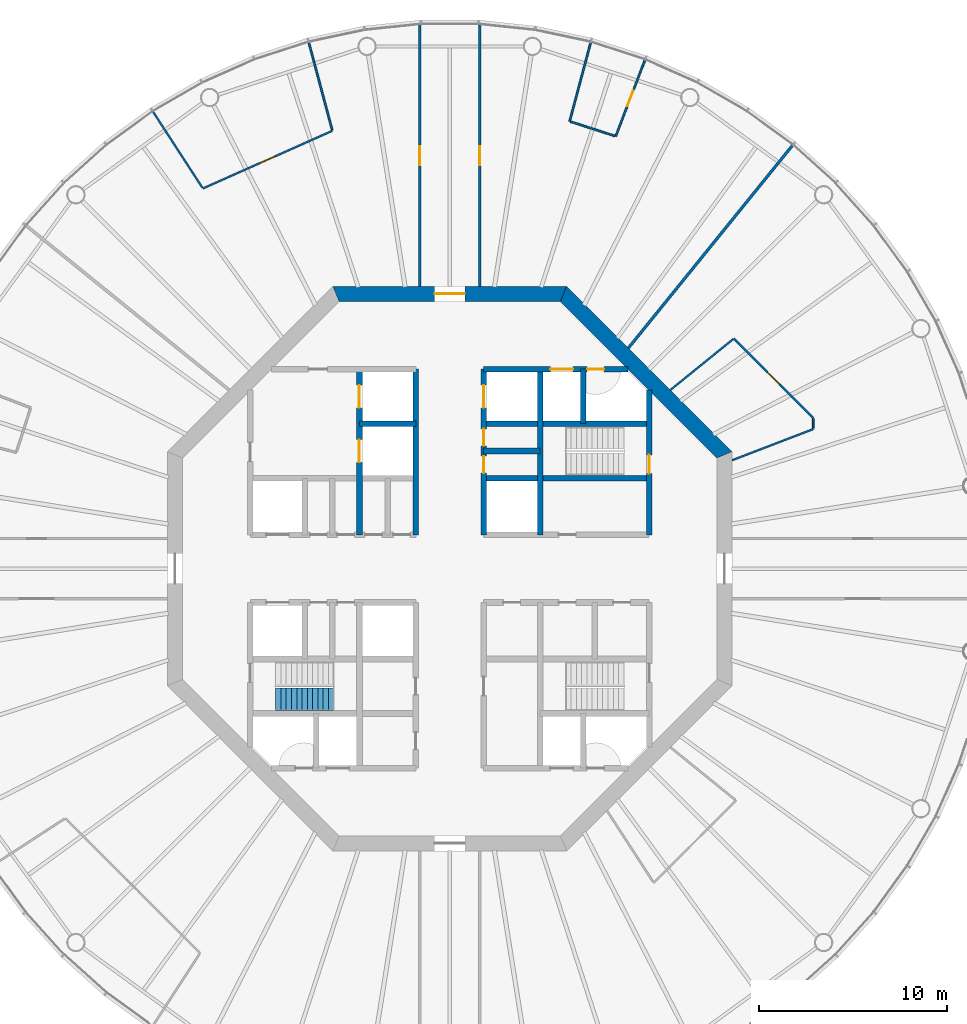
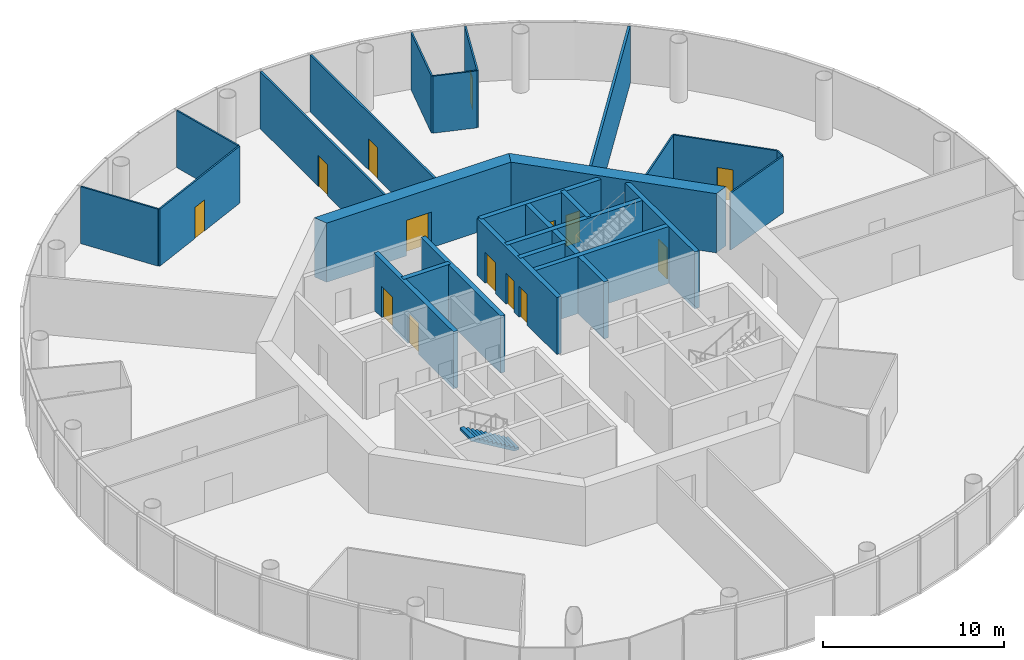
# One storey, part 5 of 13: 26 walls, 14 doors, 1 stair flight, 14 openings, 1 element without a shape of its own.
"""IFC4 building model written with IfcOpenShell, lengths in metres."""

from ifc_helpers import new_model, si_unit, direction, frame, frame_2d, origin, place, context, subcontext, project, spatial, polyline, rectangle, outline, extrude, material, layer, layer_set, type_object, element, fill, aggregate, save


model = new_model("IFC4")

# Units and contexts
model_context = context("Model", 3, precision=1e-05, world=origin(), true_north=direction((0.0, 1.0)))
body_context = subcontext(model_context, "Body", "Model", "MODEL_VIEW")
ifc_project = project(units=[si_unit("LENGTHUNIT", "METRE"), si_unit("AREAUNIT", "SQUARE_METRE"), si_unit("VOLUMEUNIT", "CUBIC_METRE"), si_unit("PLANEANGLEUNIT", "RADIAN"), si_unit("MASSUNIT", "GRAM", prefix="KILO")], contexts=[model_context])

# Site, building, storey
site_placement = place(None, origin())
site = spatial("IfcSite", under=ifc_project, at=site_placement, CompositionType="ELEMENT")
building_placement = place(site_placement, origin())
building = spatial("IfcBuilding", under=site, at=building_placement, Name="Entoto Ring Tower", CompositionType="ELEMENT")
storey_placement = place(building_placement, frame((0.0, 0.0, 282.0)))
storey = spatial("IfcBuildingStorey", under=building, at=storey_placement, Name="L64", CompositionType="ELEMENT", Elevation=282.0)

# Wall, opening, door
ifc_material_1 = material(Name="Concrete C40/50", Category="concrete")
ifc_layer_1 = layer(ifc_material_1, 0.300048828125)
ifc_layer_set_1 = layer_set([ifc_layer_1], Name="Concrete C40/50")
wall_type_1 = type_object("IfcWallType", Name="Core enclosure wall 300 mm reinforced concrete", PredefinedType="SOLIDWALL", material=ifc_layer_set_1)
wall_1_placement = place(storey_placement, frame((100.60009765625, 81.800048828125, 0.0), z_axis=(0.0, 0.0, 1.0), x_axis=(0.0, 1.0, 0.0)))
wall_1 = element("IfcWall", 1, at=wall_1_placement, inside=storey, type_object=wall_type_1, Name="wall-L64-002", PredefinedType="SOLIDWALL", context=body_context, shape_type="SweptSolid", body=[
    extrude(rectangle(XDim=7.681640625, YDim=0.300048828125, at=frame_2d((3.8408203125, 0.0))), origin(), (0.0, 0.0, 1.0), 3.85009765625),
])
opening_1_placement = place(wall_1_placement, frame((3.25, 0.0, 0.0)))
opening_1 = element("IfcOpeningElement", 2, at=opening_1_placement, cuts=wall_1, Name="Opening K-26", PredefinedType="OPENING", context=body_context, shape_type="SweptSolid", body=[
    extrude(rectangle(XDim=1.0, YDim=2.10009765625, at=frame_2d((0.5, 1.050048828125))), frame((0.0, 0.16015625, 0.0), z_axis=(0.0, -1.0, 0.0), x_axis=(1.0, 0.0, 0.0)), (0.0, 0.0, 1.0), 0.320068359375),
])
ifc_material_2 = material(Name="Steel door leaf, fire rated", Category="steel")
ifc_layer_2 = layer(ifc_material_2, 0.050048828125)
ifc_layer_set_2 = layer_set([ifc_layer_2], Name="Steel door leaf, fire rated")
door_type_1 = type_object("IfcDoorType", Name="Fire door FD60 1000 x 2100 single leaf", OperationType="NOTDEFINED", PredefinedType="DOOR", material=ifc_layer_set_2)
door_1_placement = place(opening_1_placement, origin())
door_1 = element("IfcDoor", 3, at=door_1_placement, inside=storey, type_object=door_type_1, Name="Door K-26", OperationType="SINGLE_SWING_LEFT", OverallHeight=2.10009765625, OverallWidth=1.0, PredefinedType="DOOR", context=body_context, shape_type="SweptSolid", body=[
    extrude(rectangle(XDim=1.0, YDim=2.10009765625, at=frame_2d((0.5, 1.050048828125))), frame((0.0, 0.02490234375, 0.0), z_axis=(0.0, -1.0, 0.0), x_axis=(1.0, 0.0, 0.0)), (0.0, 0.0, 1.0), 0.050048828125),
])
fill(opening_1, door_1)

# Walls
wall_2_placement = place(storey_placement, frame((97.10009765625, 87.699951171875, 0.0), z_axis=(0.0, 0.0, 1.0), x_axis=(0.0, 1.0, 0.0)))
element("IfcWall", 4, at=wall_2_placement, inside=storey, type_object=wall_type_1, Name="wall-L64-005", PredefinedType="SOLIDWALL", context=body_context, shape_type="SweptSolid", body=[
    extrude(rectangle(XDim=2.900146484375, YDim=0.300048828125, at=frame_2d((1.4501953125, 0.0))), origin(), (0.0, 0.0, 1.0), 3.85009765625),
])
wall_3_placement = place(storey_placement, frame((94.800048828125, 81.800048828125, 0.0), z_axis=(0.0, 0.0, 1.0), x_axis=(0.0, 1.0, 0.0)))
element("IfcWall", 5, at=wall_3_placement, inside=storey, type_object=wall_type_1, Name="wall-L64-007", PredefinedType="SOLIDWALL", context=body_context, shape_type="SweptSolid", body=[
    extrude(rectangle(XDim=8.800048828125, YDim=0.300048828125, at=frame_2d((4.39990234375, 0.0))), origin(), (0.0, 0.0, 1.0), 3.85009765625),
])

# Wall, openings, doors
wall_4_placement = place(storey_placement, frame((91.800048828125, 81.800048828125, 0.0), z_axis=(0.0, 0.0, 1.0), x_axis=(0.0, 1.0, 0.0)))
wall_4 = element("IfcWall", 6, at=wall_4_placement, inside=storey, type_object=wall_type_1, Name="wall-L64-009", PredefinedType="SOLIDWALL", context=body_context, shape_type="SweptSolid", body=[
    extrude(rectangle(XDim=8.800048828125, YDim=0.300048828125, at=frame_2d((4.39990234375, 0.0))), origin(), (0.0, 0.0, 1.0), 3.85009765625),
])
opening_2_placement = place(wall_4_placement, frame((6.75, 0.0, 0.0)))
opening_2 = element("IfcOpeningElement", 7, at=opening_2_placement, cuts=wall_4, Name="Opening LD", PredefinedType="OPENING", context=body_context, shape_type="SweptSolid", body=[
    extrude(rectangle(XDim=1.199951171875, YDim=2.10009765625, at=frame_2d((0.60009765625, 1.050048828125))), frame((0.0, 0.16015625, 0.0), z_axis=(0.0, -1.0, 0.0), x_axis=(1.0, 0.0, 0.0)), (0.0, 0.0, 1.0), 0.320068359375),
])
opening_3_placement = place(wall_4_placement, frame((3.27490234375, 0.0, 0.0)))
opening_3 = element("IfcOpeningElement", 8, at=opening_3_placement, cuts=wall_4, Name="Opening K-18", PredefinedType="OPENING", context=body_context, shape_type="SweptSolid", body=[
    extrude(rectangle(XDim=0.89990234375, YDim=2.10009765625, at=frame_2d((0.449951171875, 1.050048828125))), frame((0.0, 0.16015625, 0.0), z_axis=(0.0, -1.0, 0.0), x_axis=(1.0, 0.0, 0.0)), (0.0, 0.0, 1.0), 0.320068359375),
])
opening_4_placement = place(wall_4_placement, frame((4.72509765625, 0.0, 0.0)))
opening_4 = element("IfcOpeningElement", 9, at=opening_4_placement, cuts=wall_4, Name="Opening K-19", PredefinedType="OPENING", context=body_context, shape_type="SweptSolid", body=[
    extrude(rectangle(XDim=0.89990234375, YDim=2.10009765625, at=frame_2d((0.449951171875, 1.050048828125))), frame((0.0, 0.16015625, 0.0), z_axis=(0.0, -1.0, 0.0), x_axis=(1.0, 0.0, 0.0)), (0.0, 0.0, 1.0), 0.320068359375),
])
ifc_material_3 = material(Name="Steel door leaf, fire rated", Category="steel")
ifc_layer_3 = layer(ifc_material_3, 0.050048828125)
ifc_layer_set_3 = layer_set([ifc_layer_3], Name="Steel door leaf, fire rated")
door_type_2 = type_object("IfcDoorType", Name="Core door 900 x 2100 single leaf", OperationType="NOTDEFINED", PredefinedType="DOOR", material=ifc_layer_set_3)
door_2_placement = place(opening_3_placement, frame((0.89990234375, 0.0, 0.0), z_axis=(0.0, 0.0, 1.0), x_axis=(-1.0, 0.0, 0.0)))
door_2 = element("IfcDoor", 10, at=door_2_placement, inside=storey, type_object=door_type_2, Name="Door K-18", OperationType="SINGLE_SWING_LEFT", OverallHeight=2.10009765625, OverallWidth=0.89990234375, PredefinedType="DOOR", context=body_context, shape_type="SweptSolid", body=[
    extrude(rectangle(XDim=0.89990234375, YDim=2.10009765625, at=frame_2d((0.449951171875, 1.050048828125))), frame((0.0, 0.02490234375, 0.0), z_axis=(0.0, -1.0, 0.0), x_axis=(1.0, 0.0, 0.0)), (0.0, 0.0, 1.0), 0.050048828125),
])
fill(opening_3, door_2)
door_3_placement = place(opening_4_placement, frame((0.89990234375, 0.0, 0.0), z_axis=(0.0, 0.0, 1.0), x_axis=(-1.0, 0.0, 0.0)))
door_3 = element("IfcDoor", 11, at=door_3_placement, inside=storey, type_object=door_type_2, Name="Door K-19", OperationType="SINGLE_SWING_RIGHT", OverallHeight=2.10009765625, OverallWidth=0.89990234375, PredefinedType="DOOR", context=body_context, shape_type="SweptSolid", body=[
    extrude(rectangle(XDim=0.89990234375, YDim=2.10009765625, at=frame_2d((0.449951171875, 1.050048828125))), frame((0.0, 0.02490234375, 0.0), z_axis=(0.0, -1.0, 0.0), x_axis=(1.0, 0.0, 0.0)), (0.0, 0.0, 1.0), 0.050048828125),
])
fill(opening_4, door_3)
ifc_material_4 = material(Name="Steel and glass door leaf", Category="steel")
ifc_layer_4 = layer(ifc_material_4, 0.050048828125)
ifc_layer_set_4 = layer_set([ifc_layer_4], Name="Steel and glass door leaf")
door_type_3 = type_object("IfcDoorType", Name="Landing door 1200 x 2100 sliding", OperationType="DOUBLE_DOOR_SLIDING", PredefinedType="DOOR", material=ifc_layer_set_4)
door_4_placement = place(opening_2_placement, origin())
door_4 = element("IfcDoor", 12, at=door_4_placement, inside=storey, type_object=door_type_3, Name="Landing door SH3", OperationType="SLIDING_TO_RIGHT", OverallHeight=2.10009765625, OverallWidth=1.199951171875, PredefinedType="DOOR", context=body_context, shape_type="SweptSolid", body=[
    extrude(rectangle(XDim=1.199951171875, YDim=2.10009765625, at=frame_2d((0.60009765625, 1.050048828125))), frame((0.0, 0.02490234375, 0.0), z_axis=(0.0, -1.0, 0.0), x_axis=(1.0, 0.0, 0.0)), (0.0, 0.0, 1.0), 0.050048828125),
])
fill(opening_2, door_4)

# Wall
wall_5_placement = place(storey_placement, frame((88.199951171875, 81.800048828125, 0.0), z_axis=(0.0, 0.0, 1.0), x_axis=(0.0, 1.0, 0.0)))
element("IfcWall", 13, at=wall_5_placement, inside=storey, type_object=wall_type_1, Name="wall-L64-011", PredefinedType="SOLIDWALL", context=body_context, shape_type="SweptSolid", body=[
    extrude(rectangle(XDim=8.800048828125, YDim=0.300048828125, at=frame_2d((4.39990234375, 0.0))), origin(), (0.0, 0.0, 1.0), 3.85009765625),
])

# Wall, openings, doors
wall_6_placement = place(storey_placement, frame((85.199951171875, 81.800048828125, 0.0), z_axis=(0.0, 0.0, 1.0), x_axis=(0.0, 1.0, 0.0)))
wall_6 = element("IfcWall", 14, at=wall_6_placement, inside=storey, type_object=wall_type_1, Name="wall-L64-014", PredefinedType="SOLIDWALL", context=body_context, shape_type="SweptSolid", body=[
    extrude(rectangle(XDim=8.800048828125, YDim=0.300048828125, at=frame_2d((4.39990234375, 0.0))), origin(), (0.0, 0.0, 1.0), 3.85009765625),
])
opening_5_placement = place(wall_6_placement, frame((3.85009765625, 0.0, 0.0)))
opening_5 = element("IfcOpeningElement", 15, at=opening_5_placement, cuts=wall_6, Name="Opening LD", PredefinedType="OPENING", context=body_context, shape_type="SweptSolid", body=[
    extrude(rectangle(XDim=1.199951171875, YDim=2.10009765625, at=frame_2d((0.60009765625, 1.050048828125))), frame((0.0, 0.16015625, 0.0), z_axis=(0.0, -1.0, 0.0), x_axis=(1.0, 0.0, 0.0)), (0.0, 0.0, 1.0), 0.320068359375),
])
opening_6_placement = place(wall_6_placement, frame((6.75, 0.0, 0.0)))
opening_6 = element("IfcOpeningElement", 16, at=opening_6_placement, cuts=wall_6, Name="Opening LD", PredefinedType="OPENING", context=body_context, shape_type="SweptSolid", body=[
    extrude(rectangle(XDim=1.199951171875, YDim=2.10009765625, at=frame_2d((0.60009765625, 1.050048828125))), frame((0.0, 0.16015625, 0.0), z_axis=(0.0, -1.0, 0.0), x_axis=(1.0, 0.0, 0.0)), (0.0, 0.0, 1.0), 0.320068359375),
])
door_5_placement = place(opening_5_placement, origin())
door_5 = element("IfcDoor", 17, at=door_5_placement, inside=storey, type_object=door_type_3, Name="Landing door FF1", OperationType="SLIDING_TO_RIGHT", OverallHeight=2.10009765625, OverallWidth=1.199951171875, PredefinedType="DOOR", context=body_context, shape_type="SweptSolid", body=[
    extrude(rectangle(XDim=1.199951171875, YDim=2.10009765625, at=frame_2d((0.60009765625, 1.050048828125))), frame((0.0, 0.02490234375, 0.0), z_axis=(0.0, -1.0, 0.0), x_axis=(1.0, 0.0, 0.0)), (0.0, 0.0, 1.0), 0.050048828125),
])
fill(opening_5, door_5)
door_6_placement = place(opening_6_placement, origin())
door_6 = element("IfcDoor", 18, at=door_6_placement, inside=storey, type_object=door_type_3, Name="Landing door FF2", OperationType="SLIDING_TO_RIGHT", OverallHeight=2.10009765625, OverallWidth=1.199951171875, PredefinedType="DOOR", context=body_context, shape_type="SweptSolid", body=[
    extrude(rectangle(XDim=1.199951171875, YDim=2.10009765625, at=frame_2d((0.60009765625, 1.050048828125))), frame((0.0, 0.02490234375, 0.0), z_axis=(0.0, -1.0, 0.0), x_axis=(1.0, 0.0, 0.0)), (0.0, 0.0, 1.0), 0.050048828125),
])
fill(opening_6, door_6)

# Walls
wall_7_placement = place(storey_placement, frame((91.800048828125, 84.800048828125, 0.0), z_axis=(0.0, 0.0, 1.0), x_axis=(1.0, 0.0, 0.0)))
element("IfcWall", 19, at=wall_7_placement, inside=storey, type_object=wall_type_1, Name="wall-L64-033", PredefinedType="SOLIDWALL", context=body_context, shape_type="SweptSolid", body=[
    extrude(rectangle(XDim=8.800048828125, YDim=0.300048828125, at=frame_2d((4.39990234375, 0.0))), origin(), (0.0, 0.0, 1.0), 3.85009765625),
])
for number, where, z_axis, x_axis, name in (
    (20, (91.800048828125, 86.25, 0.0), (0.0, 0.0, 1.0), (1.0, 0.0, 0.0), "wall-L64-034"),
    (21, (85.199951171875, 87.699951171875, 0.0), (0.0, 0.0, 1.0), (1.0, 0.0, 0.0), "wall-L64-035"),
):
    element("IfcWall", number, at=place(storey_placement, frame(where, z_axis=z_axis, x_axis=x_axis)), inside=storey, type_object=wall_type_1, Name=name, PredefinedType="SOLIDWALL", context=body_context, shape_type="SweptSolid", body=[
        extrude(rectangle(XDim=3.0, YDim=0.300048828125, at=frame_2d((1.5, 0.0))), origin(), (0.0, 0.0, 1.0), 3.85009765625),
    ])
wall_8_placement = place(storey_placement, frame((91.800048828125, 87.699951171875, 0.0), z_axis=(0.0, 0.0, 1.0), x_axis=(1.0, 0.0, 0.0)))
element("IfcWall", 22, at=wall_8_placement, inside=storey, type_object=wall_type_1, Name="wall-L64-036", PredefinedType="SOLIDWALL", context=body_context, shape_type="SweptSolid", body=[
    extrude(rectangle(XDim=8.800048828125, YDim=0.300048828125, at=frame_2d((4.39990234375, 0.0))), origin(), (0.0, 0.0, 1.0), 3.85009765625),
])

# Wall, openings, doors
wall_9_placement = place(storey_placement, frame((91.800048828125, 90.60009765625, 0.0), z_axis=(0.0, 0.0, 1.0), x_axis=(1.0, 0.0, 0.0)))
wall_9 = element("IfcWall", 23, at=wall_9_placement, inside=storey, type_object=wall_type_1, Name="wall-L64-038", PredefinedType="SOLIDWALL", context=body_context, shape_type="SweptSolid", body=[
    extrude(rectangle(XDim=7.681640625, YDim=0.300048828125, at=frame_2d((3.8408203125, 0.0))), origin(), (0.0, 0.0, 1.0), 3.85009765625),
])
opening_7_placement = place(wall_9_placement, frame((3.550048828125, 0.0, 0.0)))
opening_7 = element("IfcOpeningElement", 24, at=opening_7_placement, cuts=wall_9, Name="Opening LD", PredefinedType="OPENING", context=body_context, shape_type="SweptSolid", body=[
    extrude(rectangle(XDim=1.199951171875, YDim=2.10009765625, at=frame_2d((0.60009765625, 1.050048828125))), frame((0.0, 0.16015625, 0.0), z_axis=(0.0, -1.0, 0.0), x_axis=(1.0, 0.0, 0.0)), (0.0, 0.0, 1.0), 0.320068359375),
])
opening_8_placement = place(wall_9_placement, frame((5.5, 0.0, 0.0)))
opening_8 = element("IfcOpeningElement", 25, at=opening_8_placement, cuts=wall_9, Name="Opening K-83", PredefinedType="OPENING", context=body_context, shape_type="SweptSolid", body=[
    extrude(rectangle(XDim=0.89990234375, YDim=2.10009765625, at=frame_2d((0.449951171875, 1.050048828125))), frame((0.0, 0.16015625, 0.0), z_axis=(0.0, -1.0, 0.0), x_axis=(1.0, 0.0, 0.0)), (0.0, 0.0, 1.0), 0.320068359375),
])
door_7_placement = place(opening_7_placement, origin())
door_7 = element("IfcDoor", 26, at=door_7_placement, inside=storey, type_object=door_type_3, Name="Landing door LB1-HR", OperationType="SLIDING_TO_RIGHT", OverallHeight=2.10009765625, OverallWidth=1.199951171875, PredefinedType="DOOR", context=body_context, shape_type="SweptSolid", body=[
    extrude(rectangle(XDim=1.199951171875, YDim=2.10009765625, at=frame_2d((0.60009765625, 1.050048828125))), frame((0.0, 0.02490234375, 0.0), z_axis=(0.0, -1.0, 0.0), x_axis=(1.0, 0.0, 0.0)), (0.0, 0.0, 1.0), 0.050048828125),
])
fill(opening_7, door_7)
ifc_material_5 = material(Name="Steel door leaf, fire rated", Category="steel")
ifc_layer_5 = layer(ifc_material_5, 0.050048828125)
ifc_layer_set_5 = layer_set([ifc_layer_5], Name="Steel door leaf, fire rated")
door_type_4 = type_object("IfcDoorType", Name="Riser door FD60 900 x 2100 single leaf", OperationType="NOTDEFINED", PredefinedType="DOOR", material=ifc_layer_set_5)
door_8_placement = place(opening_8_placement, frame((0.89990234375, 0.0, 0.0), z_axis=(0.0, 0.0, 1.0), x_axis=(-1.0, 0.0, 0.0)))
door_8 = element("IfcDoor", 27, at=door_8_placement, inside=storey, type_object=door_type_4, Name="Door K-83", OperationType="SINGLE_SWING_RIGHT", OverallHeight=2.10009765625, OverallWidth=0.89990234375, PredefinedType="DOOR", context=body_context, shape_type="SweptSolid", body=[
    extrude(rectangle(XDim=0.89990234375, YDim=2.10009765625, at=frame_2d((0.449951171875, 1.050048828125))), frame((0.0, 0.02490234375, 0.0), z_axis=(0.0, -1.0, 0.0), x_axis=(1.0, 0.0, 0.0)), (0.0, 0.0, 1.0), 0.050048828125),
])
fill(opening_8, door_8)

# Wall
ifc_material_6 = material(Name="Concrete C40/50", Category="concrete")
ifc_layer_6 = layer(ifc_material_6, 0.800048828125)
ifc_layer_set_6 = layer_set([ifc_layer_6], Name="Concrete C40/50")
wall_type_2 = type_object("IfcWallType", Name="Core shear wall 800 mm reinforced concrete C40/50", PredefinedType="SHEAR", material=ifc_layer_set_6)
wall_10_placement = place(storey_placement, frame((104.60009765625, 86.047607421875, 0.0), z_axis=(0.0, 0.0, 1.0), x_axis=(-0.707106781187, 0.707106781187, 0.0)))
element("IfcWall", 28, at=wall_10_placement, inside=storey, type_object=wall_type_2, Name="wall-L64-core-1", PredefinedType="SHEAR", context=body_context, shape_type="SweptSolid", body=[
    extrude(outline(polyline([(-0.165771484375, -0.39990234375), (12.2607421875, -0.39990234375), (11.92919921875, 0.39990234375), (0.165771484375, 0.39990234375), (-0.165771484375, -0.39990234375)])), origin(), (0.0, 0.0, 1.0), 4.0),
])

# Wall, opening, door
wall_11_placement = place(storey_placement, frame((96.047607421875, 94.60009765625, 0.0), z_axis=(0.0, 0.0, 1.0), x_axis=(-1.0, 0.0, 0.0)))
wall_11 = element("IfcWall", 29, at=wall_11_placement, inside=storey, type_object=wall_type_2, Name="wall-L64-core-2", PredefinedType="SHEAR", context=body_context, shape_type="SweptSolid", body=[
    extrude(outline(polyline([(-0.165771484375, -0.39990234375), (12.260986328125, -0.39990234375), (11.929443359375, 0.39990234375), (0.165771484375, 0.39990234375), (-0.165771484375, -0.39990234375)])), origin(), (0.0, 0.0, 1.0), 4.0),
])
opening_9_placement = place(wall_11_placement, frame((5.24755859375, 0.0, 0.0)))
opening_9 = element("IfcOpeningElement", 30, at=opening_9_placement, cuts=wall_11, Name="Opening K-02", PredefinedType="OPENING", context=body_context, shape_type="SweptSolid", body=[
    extrude(rectangle(XDim=1.60009765625, YDim=2.39990234375, at=frame_2d((0.800048828125, 1.199951171875))), frame((0.0, 0.41015625, 0.0), z_axis=(0.0, -1.0, 0.0), x_axis=(1.0, 0.0, 0.0)), (0.0, 0.0, 1.0), 0.820068359375),
])
ifc_material_7 = material(Name="Steel door leaf, fire rated", Category="steel")
ifc_layer_7 = layer(ifc_material_7, 0.050048828125)
ifc_layer_set_7 = layer_set([ifc_layer_7], Name="Steel door leaf, fire rated")
door_type_5 = type_object("IfcDoorType", Name="Entrance door FD60 1600 x 2400 double leaf", OperationType="DOUBLE_DOOR_SINGLE_SWING", PredefinedType="DOOR", material=ifc_layer_set_7)
door_9_placement = place(opening_9_placement, origin())
door_9 = element("IfcDoor", 31, at=door_9_placement, inside=storey, type_object=door_type_5, Name="Entrance door K-02", OperationType="DOUBLE_DOOR_SINGLE_SWING", OverallHeight=2.39990234375, OverallWidth=1.60009765625, PredefinedType="DOOR", context=body_context, shape_type="SweptSolid", body=[
    extrude(rectangle(XDim=1.60009765625, YDim=2.39990234375, at=frame_2d((0.800048828125, 1.199951171875))), frame((0.0, 0.02490234375, 0.0), z_axis=(0.0, -1.0, 0.0), x_axis=(1.0, 0.0, 0.0)), (0.0, 0.0, 1.0), 0.050048828125),
])
fill(opening_9, door_9)

ifc_material_8 = material(Name="Fire-resisting plasterboard on steel studs", Category="steel")
ifc_layer_8 = layer(ifc_material_8, 0.125)
ifc_layer_set_8 = layer_set([ifc_layer_8], Name="Fire-resisting plasterboard on steel studs")
wall_type_3 = type_object("IfcWallType", Name="Corridor wall 125 mm one-hour plasterboard on steel studs", PredefinedType="PARTITIONING", material=ifc_layer_set_8)
wall_12_placement = place(storey_placement, frame((88.39990234375, 95.0, 0.0), z_axis=(0.0, 0.0, 1.0), x_axis=(0.0, 1.0, 0.0)))
wall_12 = element("IfcWall", 32, at=wall_12_placement, inside=storey, type_object=wall_type_3, Name="partition-L64-004", PredefinedType="PARTITIONING", context=body_context, shape_type="SweptSolid", body=[
    extrude(rectangle(XDim=13.891357421875, YDim=0.125, at=frame_2d((6.94580078125, 0.0))), origin(), (0.0, 0.0, 1.0), 3.85009765625),
])
opening_10_placement = place(wall_12_placement, frame((6.44580078125, 0.0, 0.0)))
opening_10 = element("IfcOpeningElement", 33, at=opening_10_placement, cuts=wall_12, Name="Opening A28-D05", PredefinedType="OPENING", context=body_context, shape_type="SweptSolid", body=[
    extrude(rectangle(XDim=1.0, YDim=2.10009765625, at=frame_2d((0.5, 1.050048828125))), frame((0.0, 0.072509765625, 0.0), z_axis=(0.0, -1.0, 0.0), x_axis=(1.0, 0.0, 0.0)), (0.0, 0.0, 1.0), 0.14501953125),
])
ifc_material_9 = material(Name="Fire-resisting timber door set", Category="wood")
door_type_6 = type_object("IfcDoorType", Name="Door 1000 x 2100 single leaf FD30S fire door", OperationType="NOTDEFINED", PredefinedType="DOOR", material=ifc_material_9)
door_10_placement = place(opening_10_placement, origin())
door_10 = element("IfcDoor", 34, at=door_10_placement, inside=storey, type_object=door_type_6, Name="Door A28-D05", OperationType="SINGLE_SWING_RIGHT", OverallHeight=2.10009765625, OverallWidth=1.0, PredefinedType="DOOR", context=body_context, shape_type="SweptSolid", body=[
    extrude(rectangle(XDim=1.0, YDim=2.10009765625, at=frame_2d((0.5, 1.050048828125))), frame((0.0, 0.02490234375, 0.0), z_axis=(0.0, -1.0, 0.0), x_axis=(1.0, 0.0, 0.0)), (0.0, 0.0, 1.0), 0.050048828125),
])
fill(opening_10, door_10)

wall_13_placement = place(storey_placement, frame((91.60009765625, 95.0, 0.0), z_axis=(0.0, 0.0, 1.0), x_axis=(0.0, 1.0, 0.0)))
wall_13 = element("IfcWall", 35, at=wall_13_placement, inside=storey, type_object=wall_type_3, Name="partition-L64-006", PredefinedType="PARTITIONING", context=body_context, shape_type="SweptSolid", body=[
    extrude(rectangle(XDim=13.891357421875, YDim=0.125, at=frame_2d((6.94580078125, 0.0))), origin(), (0.0, 0.0, 1.0), 3.85009765625),
])
opening_11_placement = place(wall_13_placement, frame((6.44580078125, 0.0, 0.0)))
opening_11 = element("IfcOpeningElement", 36, at=opening_11_placement, cuts=wall_13, Name="Opening A28-D03", PredefinedType="OPENING", context=body_context, shape_type="SweptSolid", body=[
    extrude(rectangle(XDim=1.0, YDim=2.10009765625, at=frame_2d((0.5, 1.050048828125))), frame((0.0, 0.072509765625, 0.0), z_axis=(0.0, -1.0, 0.0), x_axis=(1.0, 0.0, 0.0)), (0.0, 0.0, 1.0), 0.14501953125),
])
door_11_placement = place(opening_11_placement, frame((1.0, 0.0, 0.0), z_axis=(0.0, 0.0, 1.0), x_axis=(-1.0, 0.0, 0.0)))
door_11 = element("IfcDoor", 37, at=door_11_placement, inside=storey, type_object=door_type_6, Name="Door A28-D03", OperationType="SINGLE_SWING_LEFT", OverallHeight=2.10009765625, OverallWidth=1.0, PredefinedType="DOOR", context=body_context, shape_type="SweptSolid", body=[
    extrude(rectangle(XDim=1.0, YDim=2.10009765625, at=frame_2d((0.5, 1.050048828125))), frame((0.0, 0.02490234375, 0.0), z_axis=(0.0, -1.0, 0.0), x_axis=(1.0, 0.0, 0.0)), (0.0, 0.0, 1.0), 0.050048828125),
])
fill(opening_11, door_11)

ifc_material_10 = material(Name="Plasterboard on steel studs", Category="steel")
ifc_layer_9 = layer(ifc_material_10, 0.10009765625)
ifc_layer_set_9 = layer_set([ifc_layer_9], Name="Plasterboard on steel studs")
wall_type_4 = type_object("IfcWallType", Name="Partition 100 mm plasterboard on steel studs", PredefinedType="PARTITIONING", material=ifc_layer_set_9)
wall_14_placement = place(storey_placement, frame((76.879638671875, 100.20361328125, 0.0), z_axis=(0.0, 0.0, 1.0), x_axis=(0.913537506141, 0.406754501972, 0.0)))
wall_14 = element("IfcWall", 38, at=wall_14_placement, inside=storey, type_object=wall_type_4, Name="partition-L64-012", PredefinedType="PARTITIONING", context=body_context, shape_type="SweptSolid", body=[
    extrude(rectangle(XDim=7.536865234375, YDim=0.10009765625, at=frame_2d((3.7685546875, 0.0))), origin(), (0.0, 0.0, 1.0), 3.85009765625),
])
opening_12_placement = place(wall_14_placement, frame((3.318603515625, 0.0, 0.0)))
opening_12 = element("IfcOpeningElement", 39, at=opening_12_placement, cuts=wall_14, Name="Opening A28-D06", PredefinedType="OPENING", context=body_context, shape_type="SweptSolid", body=[
    extrude(rectangle(XDim=0.89990234375, YDim=2.10009765625, at=frame_2d((0.449951171875, 1.050048828125))), frame((0.0, 0.06005859375, 0.0), z_axis=(0.0, -1.0, 0.0), x_axis=(1.0, 0.0, 0.0)), (0.0, 0.0, 1.0), 0.1201171875),
])
ifc_material_11 = material(Name="Veneered timber door leaf in timber frame", Category="wood")
door_type_7 = type_object("IfcDoorType", Name="Door 900 x 2100 single leaf timber veneer", OperationType="NOTDEFINED", PredefinedType="DOOR", material=ifc_material_11)
door_12_placement = place(opening_12_placement, origin())
door_12 = element("IfcDoor", 40, at=door_12_placement, inside=storey, type_object=door_type_7, Name="Door A28-D06", OperationType="SINGLE_SWING_LEFT", OverallHeight=2.10009765625, OverallWidth=0.89990234375, PredefinedType="DOOR", context=body_context, shape_type="SweptSolid", body=[
    extrude(rectangle(XDim=0.89990234375, YDim=2.10009765625, at=frame_2d((0.449951171875, 1.050048828125))), frame((0.0, 0.02490234375, 0.0), z_axis=(0.0, -1.0, 0.0), x_axis=(1.0, 0.0, 0.0)), (0.0, 0.0, 1.0), 0.050048828125),
])
fill(opening_12, door_12)

wall_15_placement = place(storey_placement, frame((109.320068359375, 88.002685546875, 0.0), z_axis=(0.0, 0.0, 1.0), x_axis=(-0.707127221639, 0.707086340144, 0.0)))
wall_15 = element("IfcWall", 41, at=wall_15_placement, inside=storey, type_object=wall_type_4, Name="partition-L64-014", PredefinedType="PARTITIONING", context=body_context, shape_type="SweptSolid", body=[
    extrude(rectangle(XDim=5.971923828125, YDim=0.10009765625, at=frame_2d((2.98583984375, 0.0))), origin(), (0.0, 0.0, 1.0), 3.85009765625),
])
opening_13_placement = place(wall_15_placement, frame((2.535888671875, 0.0, 0.0)))
opening_13 = element("IfcOpeningElement", 42, at=opening_13_placement, cuts=wall_15, Name="Opening A28-D02", PredefinedType="OPENING", context=body_context, shape_type="SweptSolid", body=[
    extrude(rectangle(XDim=0.89990234375, YDim=2.10009765625, at=frame_2d((0.449951171875, 1.050048828125))), frame((0.0, 0.06005859375, 0.0), z_axis=(0.0, -1.0, 0.0), x_axis=(1.0, 0.0, 0.0)), (0.0, 0.0, 1.0), 0.1201171875),
])
door_13_placement = place(opening_13_placement, origin())
door_13 = element("IfcDoor", 43, at=door_13_placement, inside=storey, type_object=door_type_7, Name="Door A28-D02", OperationType="SINGLE_SWING_RIGHT", OverallHeight=2.10009765625, OverallWidth=0.89990234375, PredefinedType="DOOR", context=body_context, shape_type="SweptSolid", body=[
    extrude(rectangle(XDim=0.89990234375, YDim=2.10009765625, at=frame_2d((0.449951171875, 1.050048828125))), frame((0.0, 0.02490234375, 0.0), z_axis=(0.0, -1.0, 0.0), x_axis=(1.0, 0.0, 0.0)), (0.0, 0.0, 1.0), 0.050048828125),
])
fill(opening_13, door_13)

# Walls
wall_16_placement = place(storey_placement, frame((76.852783203125, 100.244873046875, 0.0), z_axis=(0.0, 0.0, 1.0), x_axis=(-0.54466119011, 0.838656179842, 0.0)))
element("IfcWall", 44, at=wall_16_placement, inside=storey, type_object=wall_type_4, Name="partition-L64-017", PredefinedType="PARTITIONING", context=body_context, shape_type="SweptSolid", body=[
    extrude(rectangle(XDim=4.80078125, YDim=0.10009765625, at=frame_2d((2.400390625, 0.0))), origin(), (0.0, 0.0, 1.0), 3.85009765625),
])
wall_17_placement = place(storey_placement, frame((83.752197265625, 103.31689453125, 0.0), z_axis=(0.0, 0.0, 1.0), x_axis=(-0.25881149994, 0.965927847978, 0.0)))
element("IfcWall", 45, at=wall_17_placement, inside=storey, type_object=wall_type_4, Name="partition-L64-018", PredefinedType="PARTITIONING", context=body_context, shape_type="SweptSolid", body=[
    extrude(rectangle(XDim=4.800537109375, YDim=0.10009765625, at=frame_2d((2.400390625, 0.0))), origin(), (0.0, 0.0, 1.0), 3.85009765625),
])
wall_18_placement = place(storey_placement, frame((105.0, 85.758056640625, 0.0), z_axis=(0.0, 0.0, 1.0), x_axis=(0.933588794902, 0.358346148345, 0.0)))
element("IfcWall", 46, at=wall_18_placement, inside=storey, type_object=wall_type_4, Name="partition-L64-019", PredefinedType="PARTITIONING", context=body_context, shape_type="SweptSolid", body=[
    extrude(rectangle(XDim=4.62744140625, YDim=0.10009765625, at=frame_2d((2.313720703125, 0.0))), origin(), (0.0, 0.0, 1.0), 3.85009765625),
])
wall_19_placement = place(storey_placement, frame((101.721435546875, 89.49169921875, 0.0), z_axis=(0.0, 0.0, 1.0), x_axis=(0.777144236082, 0.629322521705, 0.0)))
element("IfcWall", 47, at=wall_19_placement, inside=storey, type_object=wall_type_4, Name="partition-L64-024", PredefinedType="PARTITIONING", context=body_context, shape_type="SweptSolid", body=[
    extrude(rectangle(XDim=4.294189453125, YDim=0.10009765625, at=frame_2d((2.14697265625, 0.0))), origin(), (0.0, 0.0, 1.0), 3.85009765625),
])

# Wall, opening, door
wall_20_placement = place(storey_placement, frame((98.8193359375, 102.975341796875, 0.0), z_axis=(0.0, 0.0, 1.0), x_axis=(0.358366932706, 0.933580816825, 0.0)))
wall_20 = element("IfcWall", 48, at=wall_20_placement, inside=storey, type_object=wall_type_4, Name="partition-L64-025", PredefinedType="PARTITIONING", context=body_context, shape_type="SweptSolid", body=[
    extrude(rectangle(XDim=4.330078125, YDim=0.10009765625, at=frame_2d((2.1650390625, 0.0))), origin(), (0.0, 0.0, 1.0), 3.85009765625),
])
opening_14_placement = place(wall_20_placement, frame((1.715087890625, 0.0, 0.0)))
opening_14 = element("IfcOpeningElement", 49, at=opening_14_placement, cuts=wall_20, Name="Opening A28-D04", PredefinedType="OPENING", context=body_context, shape_type="SweptSolid", body=[
    extrude(rectangle(XDim=0.89990234375, YDim=2.10009765625, at=frame_2d((0.449951171875, 1.050048828125))), frame((0.0, 0.06005859375, 0.0), z_axis=(0.0, -1.0, 0.0), x_axis=(1.0, 0.0, 0.0)), (0.0, 0.0, 1.0), 0.1201171875),
])
door_14_placement = place(opening_14_placement, origin())
door_14 = element("IfcDoor", 50, at=door_14_placement, inside=storey, type_object=door_type_7, Name="Door A28-D04", OperationType="SINGLE_SWING_RIGHT", OverallHeight=2.10009765625, OverallWidth=0.89990234375, PredefinedType="DOOR", context=body_context, shape_type="SweptSolid", body=[
    extrude(rectangle(XDim=0.89990234375, YDim=2.10009765625, at=frame_2d((0.449951171875, 1.050048828125))), frame((0.0, 0.02490234375, 0.0), z_axis=(0.0, -1.0, 0.0), x_axis=(1.0, 0.0, 0.0)), (0.0, 0.0, 1.0), 0.050048828125),
])
fill(opening_14, door_14)

# Walls
wall_21_placement = place(storey_placement, frame((96.369384765625, 103.771484375, 0.0), z_axis=(0.0, 0.0, 1.0), x_axis=(0.258859151662, 0.965915078876, 0.0)))
element("IfcWall", 51, at=wall_21_placement, inside=storey, type_object=wall_type_4, Name="partition-L64-026", PredefinedType="PARTITIONING", context=body_context, shape_type="SweptSolid", body=[
    extrude(rectangle(XDim=4.330078125, YDim=0.10009765625, at=frame_2d((2.1650390625, 0.0))), origin(), (0.0, 0.0, 1.0), 3.85009765625),
])
wall_22_placement = place(storey_placement, frame((98.77197265625, 102.99072265625, 0.0), z_axis=(0.0, 0.0, 1.0), x_axis=(-0.951032619636, 0.309090531055, 0.0)))
element("IfcWall", 52, at=wall_22_placement, inside=storey, type_object=wall_type_4, Name="partition-L64-027", PredefinedType="PARTITIONING", context=body_context, shape_type="SweptSolid", body=[
    extrude(rectangle(XDim=2.476318359375, YDim=0.10009765625, at=frame_2d((1.23828125, 0.0))), origin(), (0.0, 0.0, 1.0), 3.85009765625),
])
wall_23_placement = place(storey_placement, frame((109.320068359375, 87.462890625, 0.0), z_axis=(0.0, 0.0, 1.0), x_axis=(0.0, 1.0, 0.0)))
element("IfcWall", 53, at=wall_23_placement, inside=storey, type_object=wall_type_4, Name="partition-L64-029", PredefinedType="PARTITIONING", context=body_context, shape_type="SweptSolid", body=[
    extrude(rectangle(XDim=0.504638671875, YDim=0.10009765625, at=frame_2d((0.25244140625, 0.0))), origin(), (0.0, 0.0, 1.0), 3.85009765625),
])
ifc_material_12 = material(Name="Fire-resisting acoustic plasterboard on steel studs", Category="steel")
ifc_layer_10 = layer(ifc_material_12, 0.14990234375)
ifc_layer_set_10 = layer_set([ifc_layer_10], Name="Fire-resisting acoustic plasterboard on steel studs")
wall_type_5 = type_object("IfcWallType", Name="Party wall 150 mm one-hour acoustic plasterboard on steel studs", PredefinedType="PARTITIONING", material=ifc_layer_set_10)
wall_24_placement = place(storey_placement, frame((99.49169921875, 91.721435546875, 0.0), z_axis=(0.0, 0.0, 1.0), x_axis=(0.629324927109, 0.777142288207, 0.0)))
element("IfcWall", 54, at=wall_24_placement, inside=storey, type_object=wall_type_5, Name="partition-L64-010", PredefinedType="PARTITIONING", context=body_context, shape_type="SweptSolid", body=[
    extrude(rectangle(XDim=13.857177734375, YDim=0.14990234375, at=frame_2d((6.9287109375, 0.0))), origin(), (0.0, 0.0, 1.0), 3.85009765625),
])

# Stair, stair flight
ifc_material_13 = material(Name="Concrete C40/50", Category="concrete")
stair_type = type_object("IfcStairType", Name="Exit stair 1200 mm dog-leg reinforced concrete", PredefinedType="HALF_TURN_STAIR", material=ifc_material_13)
stair_placement = place(storey_placement, origin())
stair = element("IfcStair", 55, at=stair_placement, inside=storey, type_object=stair_type, Name="Exit stair 2", PredefinedType="HALF_TURN_STAIR")
ifc_material_14 = material(Name="Concrete C40/50", Category="concrete")
stair_flight_type = type_object("IfcStairFlightType", Name="Stair flight 1200 mm reinforced concrete", PredefinedType="STRAIGHT", material=ifc_material_14)
stair_flight_placement = place(storey_placement, frame((83.830078125, 73.050048828125, 2.0), z_axis=(0.0, 0.0, 1.0), x_axis=(-1.0, 0.0, 0.0)))
stair_flight = element("IfcStairFlight", 56, at=stair_flight_placement, type_object=stair_flight_type, Name="ST2 flight 2", NumberOfRisers=12, NumberOfTreads=11, PredefinedType="STRAIGHT", RiserHeight=0.166666667, TreadLength=0.28, context=body_context, shape_type="SweptSolid", body=[
    extrude(outline(polyline([(0.0, 0.0), (0.0, 0.166748046875), (0.280029296875, 0.166748046875), (0.280029296875, 0.333251953125), (0.56005859375, 0.333251953125), (0.56005859375, 0.5), (0.840087890625, 0.5), (0.840087890625, 0.666748046875), (1.1201171875, 0.666748046875), (1.1201171875, 0.833251953125), (1.39990234375, 0.833251953125), (1.39990234375, 1.0), (1.679931640625, 1.0), (1.679931640625, 1.166748046875), (1.9599609375, 1.166748046875), (1.9599609375, 1.333251953125), (2.239990234375, 1.333251953125), (2.239990234375, 1.5), (2.52001953125, 1.5), (2.52001953125, 1.666748046875), (2.800048828125, 1.666748046875), (2.800048828125, 1.833251953125), (3.080078125, 1.833251953125), (3.080078125, 2.0), (3.080078125, 1.658935546875), (0.29296875, 0.0), (0.0, 0.0)])), frame((0.0, 0.60009765625, 0.0), z_axis=(0.0, -1.0, 0.0), x_axis=(1.0, 0.0, 0.0)), (0.0, 0.0, 1.0), 1.199951171875),
])
aggregate(stair, [stair_flight])

save(model, "model.ifc")
